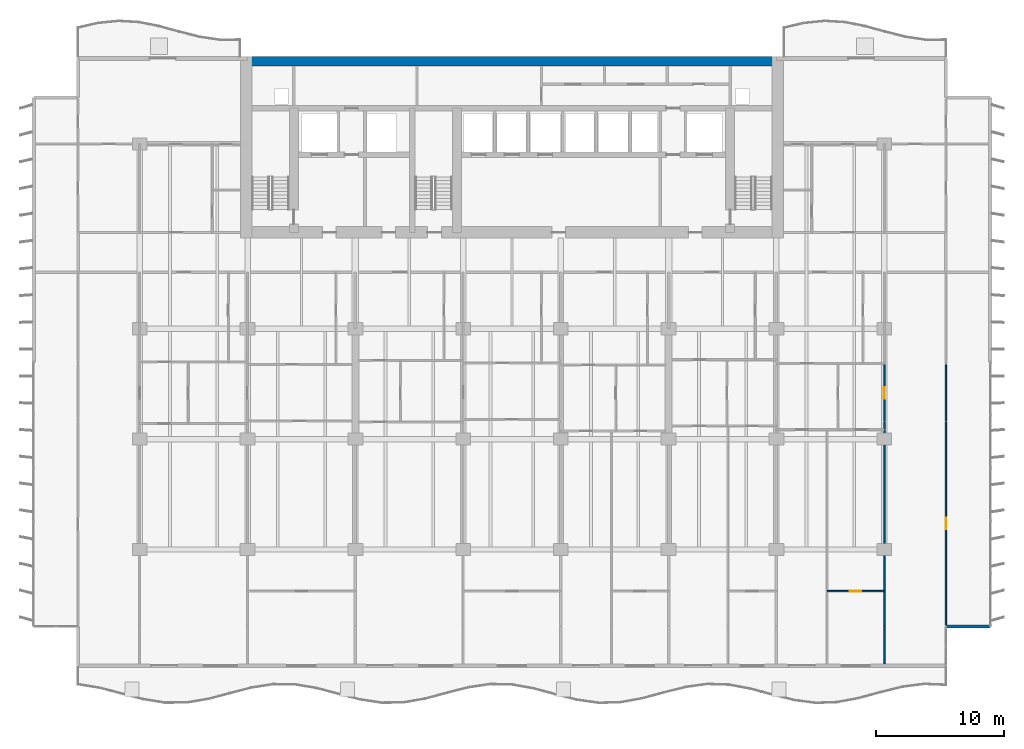
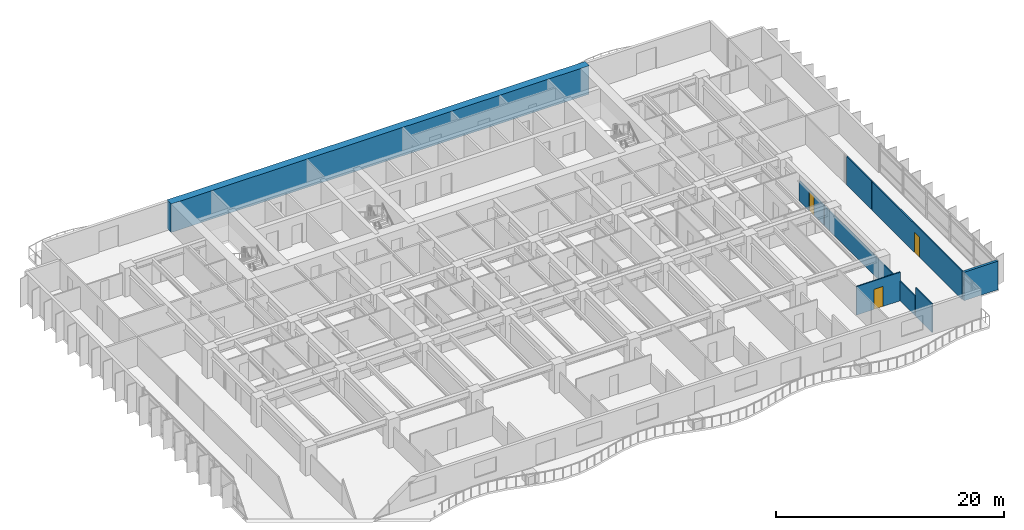
# One storey, part 12 of 18: 8 walls, 3 doors, 3 openings.
"""IFC4 building model written with IfcOpenShell, lengths in metres."""

import ifcopenshell
import ifcopenshell.guid

model = None  # the IFC model being written
_history = None  # IfcOwnerHistory: only IFC2X3 demands one
_inside = {}  # id of a spatial element -> (the spatial element, [elements in it])
_under = {}  # id of a project, library or spatial element -> (it, [spatial elements below it])
_declared = {}  # id of a project -> (the project, [libraries it declares])
_typed = {}  # id of a type object -> (the type object, [elements of that type])
_made_of = {}  # id of a material, layer set ... -> (it, [elements and type objects made of it])


def new_model(schema):
    """Start an empty IFC model of exactly this schema.

    Asked for "IFC4X3", IfcOpenShell would pick the latest addendum, in which some entities
    have other attributes; the version numbers below select the first issue.
    IFC2X3 requires an IfcOwnerHistory on every rooted entity: one is made here for all.
    """
    global model, _history
    if schema == "IFC4X3":
        model = ifcopenshell.file(schema_version=(4, 3, 0, 0))
    else:
        model = ifcopenshell.file(schema=schema)
    _inside.clear()
    _under.clear()
    _declared.clear()
    _typed.clear()
    _made_of.clear()
    _history = None
    if model.schema == "IFC2X3":
        org = make("IfcOrganization", Name="unknown")
        user = make(
            "IfcPersonAndOrganization",
            ThePerson=make("IfcPerson", FamilyName="unknown"),
            TheOrganization=org,
        )
        app = make(
            "IfcApplication",
            ApplicationDeveloper=org,
            Version="unknown",
            ApplicationFullName="unknown",
            ApplicationIdentifier="unknown",
        )
        _history = make(
            "IfcOwnerHistory",
            OwningUser=user,
            OwningApplication=app,
            ChangeAction="ADDED",
            CreationDate=0,
        )
    return model


def make(cls, **values):
    """One entity of the class cls with the attributes given. An attribute that is None is left unset."""
    return model.create_entity(
        cls, **{name: value for name, value in values.items() if value is not None}
    )


def rooted(cls, **values):
    """An entity with a GlobalId (a new one), such as an element, a storey or a relation."""
    return make(cls, GlobalId=ifcopenshell.guid.new(), OwnerHistory=_history, **values)


def si_unit(unit_type, name, prefix=None):
    """IfcSIUnit, for example si_unit("LENGTHUNIT", "METRE", prefix="MILLI")."""
    return make("IfcSIUnit", UnitType=unit_type, Prefix=prefix, Name=name)


def assignment(units):
    """IfcUnitAssignment: the units of a project."""
    return None if units is None else make("IfcUnitAssignment", Units=units)


def point(xyz):
    """IfcCartesianPoint."""
    return None if xyz is None else make("IfcCartesianPoint", Coordinates=xyz)


def direction(xyz):
    """IfcDirection."""
    return None if xyz is None else make("IfcDirection", DirectionRatios=xyz)


def frame(location, z_axis=None, x_axis=None):
    """IfcAxis2Placement3D, a coordinate frame: its origin and axes. An axis left out is left unset."""
    return make(
        "IfcAxis2Placement3D",
        Location=point(location),
        Axis=direction(z_axis),
        RefDirection=direction(x_axis),
    )


def frame_2d(location, x_axis=None):
    """IfcAxis2Placement2D, a coordinate frame in the plane: its origin and x axis."""
    return make(
        "IfcAxis2Placement2D", Location=point(location), RefDirection=direction(x_axis)
    )


def origin():
    """The frame at (0, 0, 0) with its axes left unset."""
    return frame((0.0, 0.0, 0.0))


def place(relative_to, where):
    """IfcLocalPlacement: puts the frame where relative to a parent placement (None: the world)."""
    return make(
        "IfcLocalPlacement", PlacementRelTo=relative_to, RelativePlacement=where
    )


def context(
    kind, dimensions, precision=None, world=None, true_north=None, identifier=None
):
    """IfcGeometricRepresentationContext, for example the 3D "Model" context."""
    return make(
        "IfcGeometricRepresentationContext",
        ContextIdentifier=identifier,
        ContextType=kind,
        CoordinateSpaceDimension=dimensions,
        Precision=precision,
        WorldCoordinateSystem=world,
        TrueNorth=true_north,
    )


def subcontext(parent, identifier, kind, view, scale=None):
    """IfcGeometricRepresentationSubContext, for example "Body" below "Model"."""
    return make(
        "IfcGeometricRepresentationSubContext",
        ContextIdentifier=identifier,
        ContextType=kind,
        ParentContext=parent,
        TargetScale=scale,
        TargetView=view,
    )


def project(units=None, contexts=None):
    """IfcProject with its units and contexts."""
    return rooted(
        "IfcProject",
        Name="project",
        RepresentationContexts=contexts,
        UnitsInContext=assignment(units),
    )


def spatial(cls, under=None, at=None, **own):
    """A site, building, storey or space (cls), placed at a placement, below another one or the project."""
    s = rooted(cls, ObjectPlacement=at, **own)
    if under is not None:
        _under.setdefault(under.id(), (under, []))[1].append(s)
    return s


def profile(cls, at=None, kind="AREA", **sizes):
    """A parametric profile (cls). Its sizes go by their IFC names, for example OverallWidth=200.0."""
    return make(cls, ProfileType=kind, Position=at, **sizes)


def rectangle(**sizes):
    """IfcRectangleProfileDef."""
    return profile("IfcRectangleProfileDef", **sizes)


def extrude(swept, where, along, depth):
    """IfcExtrudedAreaSolid: the profile swept, set in the frame where, extruded along a direction by depth."""
    return make(
        "IfcExtrudedAreaSolid",
        SweptArea=swept,
        Position=where,
        ExtrudedDirection=direction(along),
        Depth=depth,
    )


def shape(context_of_items, identifier, shape_type, items):
    """IfcShapeRepresentation: the items that make up one representation, for example the "Body"."""
    return make(
        "IfcShapeRepresentation",
        ContextOfItems=context_of_items,
        RepresentationIdentifier=identifier,
        RepresentationType=shape_type,
        Items=items,
    )


def material(Name=None, Category=None):
    """IfcMaterial."""
    return make("IfcMaterial", Name=Name, Category=Category)


def layer(
    of_material, thickness, ventilated=None, Name=None, Category=None, Priority=None
):
    """IfcMaterialLayer: one layer of a wall or slab, of a material (None: an air gap)."""
    return make(
        "IfcMaterialLayer",
        Material=of_material,
        LayerThickness=thickness,
        IsVentilated=ventilated,
        Name=Name,
        Category=Category,
        Priority=Priority,
    )


def layer_set(layers, Name=None):
    """IfcMaterialLayerSet."""
    return make("IfcMaterialLayerSet", MaterialLayers=layers, LayerSetName=Name)


def made_of(thing, what):
    """Note that an element or type object is made of a material, layer set ...; save() writes the relation."""
    if what is not None:
        _made_of.setdefault(what.id(), (what, []))[1].append(thing)
    return thing


def type_object(cls, material=None, **own):
    """A type object (cls), such as IfcWallType, which elements share."""
    return made_of(rooted(cls, **own), material)


def element(
    cls,
    number,
    at=None,
    inside=None,
    cuts=None,
    type_object=None,
    material=None,
    context=None,
    identifier="Body",
    shape_type=None,
    held_by="IfcProductDefinitionShape",
    body=None,
    shapes=None,
    **own,
):
    """One element of the class cls, such as IfcWall. Its Tag is "e" and its number.

    at: its placement. inside: the storey or other place that contains it. cuts: it is an
    opening in that element (IfcRelVoidsElement). A single representation is given by context,
    identifier, shape_type and body (its items); several are given by shapes. held_by: the class
    of the entity that holds the representations. save() writes the other relations.
    """
    e = rooted(cls, Tag="e%d" % number, ObjectPlacement=at, **own)
    if body is not None:
        shapes = [shape(context, identifier, shape_type, body)]
    if shapes is not None:
        e.Representation = make(held_by, Representations=shapes)
    if inside is not None:
        _inside.setdefault(inside.id(), (inside, []))[1].append(e)
    if cuts is not None:
        rooted(
            "IfcRelVoidsElement", RelatingBuildingElement=cuts, RelatedOpeningElement=e
        )
    if type_object is not None:
        _typed.setdefault(type_object.id(), (type_object, []))[1].append(e)
    return made_of(e, material)


def fill(opening, filler):
    """IfcRelFillsElement: the door or window that sits in an opening."""
    return rooted(
        "IfcRelFillsElement",
        RelatingOpeningElement=opening,
        RelatedBuildingElement=filler,
    )


def aggregate(whole, parts):
    """IfcRelAggregates: a whole, such as a stair, and the parts it consists of."""
    return rooted("IfcRelAggregates", RelatingObject=whole, RelatedObjects=parts)


def save(model, path):
    """Write the relations noted so far, then the file.

    IfcRelAggregates (storeys below a building ...), IfcRelContainedInSpatialStructure (elements
    in a storey), IfcRelDefinesByType, IfcRelAssociatesMaterial and IfcRelDeclares: one each for
    every whole, place, type object, material and project.
    """
    for whole, parts in _under.values():
        aggregate(whole, parts)
    for where, things in _inside.values():
        rooted(
            "IfcRelContainedInSpatialStructure",
            RelatedElements=things,
            RelatingStructure=where,
        )
    for kind, things in _typed.values():
        rooted("IfcRelDefinesByType", RelatedObjects=things, RelatingType=kind)
    for what, things in _made_of.values():
        rooted("IfcRelAssociatesMaterial", RelatedObjects=things, RelatingMaterial=what)
    for by, libraries in _declared.values():
        rooted("IfcRelDeclares", RelatingContext=by, RelatedDefinitions=libraries)
    model.write(path)


model = new_model("IFC4")

# Units and contexts
model_context = context("Model", 3, precision=1e-05, world=origin(), true_north=direction((0.0, 1.0)))
body_context = subcontext(model_context, "Body", "Model", "MODEL_VIEW")
ifc_project = project(units=[si_unit("LENGTHUNIT", "METRE"), si_unit("AREAUNIT", "SQUARE_METRE"), si_unit("VOLUMEUNIT", "CUBIC_METRE"), si_unit("PLANEANGLEUNIT", "RADIAN"), si_unit("MASSUNIT", "GRAM", prefix="KILO")], contexts=[model_context])

# Site, building, storey
site_placement = place(None, origin())
site = spatial("IfcSite", under=ifc_project, at=site_placement, CompositionType="ELEMENT")
building_placement = place(site_placement, origin())
building = spatial("IfcBuilding", under=site, at=building_placement, Name="Caelmar Bay Residences", CompositionType="ELEMENT")
storey_placement = place(building_placement, frame((0.0, 0.0, 56.39990234375)))
storey = spatial("IfcBuildingStorey", under=building, at=storey_placement, Name="L14", CompositionType="ELEMENT", Elevation=56.39990234375)

# Walls
ifc_material_1 = material(Name="Concrete f'c 70 MPa (10,000 psi)", Category="concrete")
ifc_layer_1 = layer(ifc_material_1, 0.75)
ifc_layer_set_1 = layer_set([ifc_layer_1], Name="Concrete f'c 70 MPa (10,000 psi)")
wall_type_1 = type_object("IfcWallType", Name="SW-CORN-750", PredefinedType="SHEAR", material=ifc_layer_set_1)
wall_1_placement = place(storey_placement, frame((17.75, 50.22509765625, 0.0), z_axis=(0.0, 0.0, 1.0), x_axis=(1.0, 0.0, 0.0)))
element("IfcWall", 1, at=wall_1_placement, inside=storey, type_object=wall_type_1, Name="L14 Rear Core North Shear Wall", PredefinedType="SHEAR", context=body_context, shape_type="SweptSolid", body=[
    extrude(rectangle(XDim=42.300048828125, YDim=0.75, at=frame_2d((21.14990234375, 0.0))), origin(), (0.0, 0.0, 1.0), 3.050048828125),
])
ifc_material_2 = material(Name="Precast concrete f'c 40 MPa (6,000 psi)", Category="concrete")
ifc_layer_2 = layer(ifc_material_2, 0.25)
ifc_layer_set_2 = layer_set([ifc_layer_2], Name="Precast concrete f'c 40 MPa (6,000 psi)")
wall_type_2 = type_object("IfcWallType", Name="W-EXT-250", PredefinedType="ELEMENTEDWALL", material=ifc_layer_set_2)
wall_2_placement = place(storey_placement, frame((72.699951171875, 6.199951171875, 0.0), z_axis=(0.0, 0.0, 1.0), x_axis=(1.0, 0.0, 0.0)))
element("IfcWall", 2, at=wall_2_placement, inside=storey, type_object=wall_type_2, Name="L14 SE Notch Return Wall", PredefinedType="ELEMENTEDWALL", context=body_context, shape_type="SweptSolid", body=[
    extrude(rectangle(XDim=3.449951171875, YDim=0.25, at=frame_2d((1.72509765625, 0.0))), origin(), (0.0, 0.0, 1.0), 3.050048828125),
])
ifc_material_3 = material(Name="Acoustic metal-stud gypsum partition 120 mm")
ifc_layer_3 = layer(ifc_material_3, 0.1201171875)
ifc_layer_set_3 = layer_set([ifc_layer_3], Name="Acoustic metal-stud gypsum partition 120 mm")
wall_type_3 = type_object("IfcWallType", Name="W-PRT-120", PredefinedType="PARTITIONING", material=ifc_layer_set_3)
wall_3_placement = place(storey_placement, frame((67.89990234375, 3.294921875, 0.0), z_axis=(0.0, 0.0, 1.0), x_axis=(0.0, 1.0, 0.0)))
element("IfcWall", 3, at=wall_3_placement, inside=storey, type_object=wall_type_3, Name="L14 Partition Wall V088", PredefinedType="PARTITIONING", context=body_context, shape_type="SweptSolid", body=[
    extrude(rectangle(XDim=2.905029296875, YDim=0.1201171875, at=frame_2d((1.45263671875, 0.0))), origin(), (0.0, 0.0, 1.0), 3.050048828125),
])
wall_4_placement = place(storey_placement, frame((67.89990234375, 6.239990234375, 0.0), z_axis=(0.0, 0.0, 1.0), x_axis=(0.0, 1.0, 0.0)))
element("IfcWall", 4, at=wall_4_placement, inside=storey, type_object=wall_type_3, Name="L14 Partition Wall V089", PredefinedType="PARTITIONING", context=body_context, shape_type="SweptSolid", body=[
    extrude(rectangle(XDim=15.880126953125, YDim=0.1201171875, at=frame_2d((7.93994140625, 0.0))), origin(), (0.0, 0.0, 1.0), 2.110107421875),
])

# Wall, opening, door
wall_5_placement = place(storey_placement, frame((67.89990234375, 22.199951171875, 0.0), z_axis=(0.0, 0.0, 1.0), x_axis=(0.0, 1.0, 0.0)))
wall_5 = element("IfcWall", 5, at=wall_5_placement, inside=storey, type_object=wall_type_3, Name="L14 Partition Wall V090", PredefinedType="PARTITIONING", context=body_context, shape_type="SweptSolid", body=[
    extrude(rectangle(XDim=4.380126953125, YDim=0.1201171875, at=frame_2d((2.18994140625, 0.0))), origin(), (0.0, 0.0, 1.0), 2.110107421875),
])
opening_1_placement = place(wall_5_placement, frame((1.739990234375, 0.0, 0.0)))
opening_1 = element("IfcOpeningElement", 6, at=opening_1_placement, cuts=wall_5, Name="Opening D-L14-163", PredefinedType="OPENING", context=body_context, shape_type="SweptSolid", body=[
    extrude(rectangle(XDim=0.89990234375, YDim=2.06005859375, at=frame_2d((0.449951171875, 1.030029296875))), frame((0.0, 0.070068359375, 0.0), z_axis=(0.0, -1.0, 0.0), x_axis=(1.0, 0.0, 0.0)), (0.0, 0.0, 1.0), 0.14013671875),
])
ifc_material_4 = material(Name="Solid walnut timber interior door leaf and frame", Category="wood")
ifc_layer_4 = layer(ifc_material_4, 0.050048828125)
ifc_layer_set_4 = layer_set([ifc_layer_4], Name="Solid walnut timber interior door leaf and frame")
door_type = type_object("IfcDoorType", Name="D-ROOM-900", OperationType="NOTDEFINED", PredefinedType="DOOR", material=ifc_layer_set_4)
door_1_placement = place(opening_1_placement, origin())
door_1 = element("IfcDoor", 7, at=door_1_placement, inside=storey, type_object=door_type, Name="L14 Residence 05 East Apartment Hall Door", OperationType="SINGLE_SWING_RIGHT", OverallHeight=2.06005859375, OverallWidth=0.89990234375, PredefinedType="DOOR", context=body_context, shape_type="SweptSolid", body=[
    extrude(rectangle(XDim=0.89990234375, YDim=2.06005859375, at=frame_2d((0.449951171875, 1.030029296875))), frame((0.0, 0.02490234375, 0.0), z_axis=(0.0, -1.0, 0.0), x_axis=(1.0, 0.0, 0.0)), (0.0, 0.0, 1.0), 0.050048828125),
])
fill(opening_1, door_1)

wall_6_placement = place(storey_placement, frame((72.699951171875, 6.320068359375, 0.0), z_axis=(0.0, 0.0, 1.0), x_axis=(0.0, 1.0, 0.0)))
wall_6 = element("IfcWall", 8, at=wall_6_placement, inside=storey, type_object=wall_type_3, Name="L14 Partition Wall V094", PredefinedType="PARTITIONING", context=body_context, shape_type="SweptSolid", body=[
    extrude(rectangle(XDim=15.800048828125, YDim=0.1201171875, at=frame_2d((7.89990234375, 0.0))), origin(), (0.0, 0.0, 1.0), 3.050048828125),
])
opening_2_placement = place(wall_6_placement, frame((7.449951171875, 0.0, 0.0)))
opening_2 = element("IfcOpeningElement", 9, at=opening_2_placement, cuts=wall_6, Name="Opening D-L14-165", PredefinedType="OPENING", context=body_context, shape_type="SweptSolid", body=[
    extrude(rectangle(XDim=0.89990234375, YDim=2.14990234375, at=frame_2d((0.449951171875, 1.074951171875))), frame((0.0, 0.070068359375, 0.0), z_axis=(0.0, -1.0, 0.0), x_axis=(1.0, 0.0, 0.0)), (0.0, 0.0, 1.0), 0.14013671875),
])
door_2_placement = place(opening_2_placement, origin())
door_2 = element("IfcDoor", 10, at=door_2_placement, inside=storey, type_object=door_type, Name="L14 Residence 05 Penthouse East Salon Door", OperationType="SINGLE_SWING_RIGHT", OverallHeight=2.14990234375, OverallWidth=0.89990234375, PredefinedType="DOOR", context=body_context, shape_type="SweptSolid", body=[
    extrude(rectangle(XDim=0.89990234375, YDim=2.14990234375, at=frame_2d((0.449951171875, 1.074951171875))), frame((0.0, 0.02490234375, 0.0), z_axis=(0.0, -1.0, 0.0), x_axis=(1.0, 0.0, 0.0)), (0.0, 0.0, 1.0), 0.050048828125),
])
fill(opening_2, door_2)

# Wall
wall_7_placement = place(storey_placement, frame((72.699951171875, 22.199951171875, 0.0), z_axis=(0.0, 0.0, 1.0), x_axis=(0.0, 1.0, 0.0)))
element("IfcWall", 11, at=wall_7_placement, inside=storey, type_object=wall_type_3, Name="L14 Partition Wall V095", PredefinedType="PARTITIONING", context=body_context, shape_type="SweptSolid", body=[
    extrude(rectangle(XDim=4.380126953125, YDim=0.1201171875, at=frame_2d((2.18994140625, 0.0))), origin(), (0.0, 0.0, 1.0), 3.050048828125),
])

# Wall, opening, door
wall_8_placement = place(storey_placement, frame((63.447998046875, 8.949951171875, 0.0), z_axis=(0.0, 0.0, 1.0), x_axis=(1.0, 0.0, 0.0)))
wall_8 = element("IfcWall", 12, at=wall_8_placement, inside=storey, type_object=wall_type_3, Name="L14 Partition Wall H104", PredefinedType="PARTITIONING", context=body_context, shape_type="SweptSolid", body=[
    extrude(rectangle(XDim=4.451904296875, YDim=0.1201171875, at=frame_2d((2.22607421875, 0.0))), origin(), (0.0, 0.0, 1.0), 3.050048828125),
])
opening_3_placement = place(wall_8_placement, frame((1.77587890625, 0.0, 0.0)))
opening_3 = element("IfcOpeningElement", 13, at=opening_3_placement, cuts=wall_8, Name="Opening D-L14-162", PredefinedType="OPENING", context=body_context, shape_type="SweptSolid", body=[
    extrude(rectangle(XDim=0.89990234375, YDim=2.14990234375, at=frame_2d((0.449951171875, 1.074951171875))), frame((0.0, 0.070068359375, 0.0), z_axis=(0.0, -1.0, 0.0), x_axis=(1.0, 0.0, 0.0)), (0.0, 0.0, 1.0), 0.14013671875),
])
door_3_placement = place(opening_3_placement, origin())
door_3 = element("IfcDoor", 14, at=door_3_placement, inside=storey, type_object=door_type, Name="L14 Residence 05 Primary Bedroom Door", OperationType="SINGLE_SWING_LEFT", OverallHeight=2.14990234375, OverallWidth=0.89990234375, PredefinedType="DOOR", context=body_context, shape_type="SweptSolid", body=[
    extrude(rectangle(XDim=0.89990234375, YDim=2.14990234375, at=frame_2d((0.449951171875, 1.074951171875))), frame((0.0, 0.02490234375, 0.0), z_axis=(0.0, -1.0, 0.0), x_axis=(1.0, 0.0, 0.0)), (0.0, 0.0, 1.0), 0.050048828125),
])
fill(opening_3, door_3)

save(model, "model.ifc")
